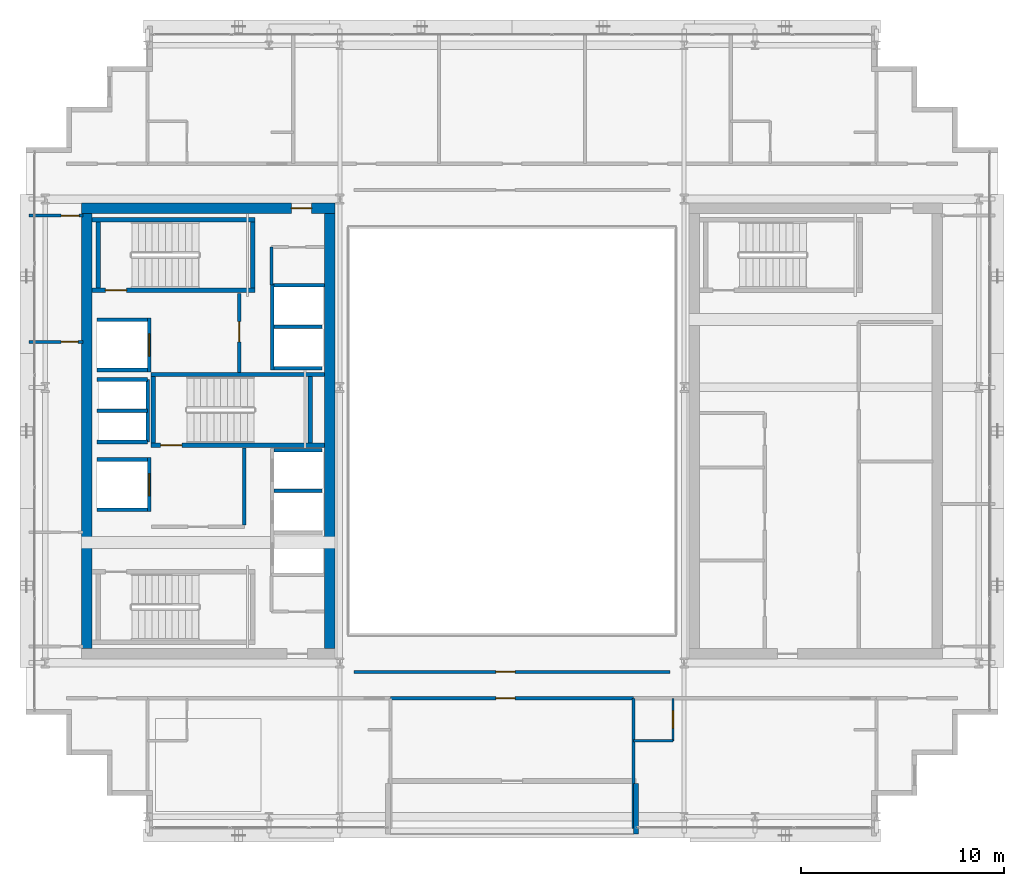
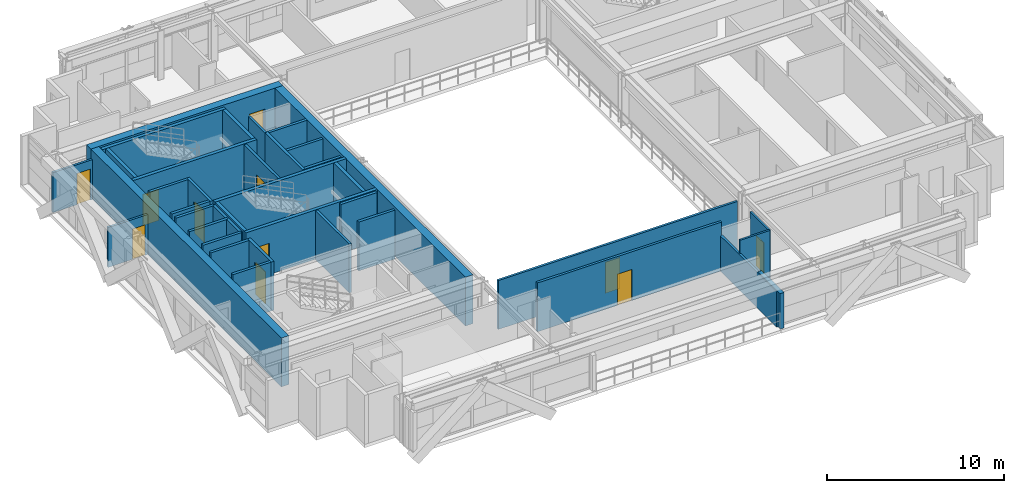
# One storey, part 24 of 30: 38 walls, 11 doors, 11 openings.
"""IFC4 building model written with IfcOpenShell, lengths in metres."""

from ifc_helpers import new_model, si_unit, direction, frame, frame_2d, origin, place, context, subcontext, project, spatial, rectangle, extrude, source, transform, mapped, material, layer, layer_set, type_object, element, fill, save


model = new_model("IFC4")

# Units and contexts
model_context = context("Model", 3, precision=1e-05, world=origin(), true_north=direction((0.0, 1.0)))
body_context = subcontext(model_context, "Body", "Model", "MODEL_VIEW")
ifc_project = project(units=[si_unit("LENGTHUNIT", "METRE"), si_unit("AREAUNIT", "SQUARE_METRE"), si_unit("VOLUMEUNIT", "CUBIC_METRE"), si_unit("PLANEANGLEUNIT", "RADIAN"), si_unit("MASSUNIT", "GRAM", prefix="KILO")], contexts=[model_context])

# Site, building, storey
site_placement = place(None, origin())
site = spatial("IfcSite", under=ifc_project, at=site_placement, CompositionType="ELEMENT")
building_placement = place(site_placement, origin())
building = spatial("IfcBuilding", under=site, at=building_placement, Name="Ocotamira Hotel", CompositionType="ELEMENT")
storey_placement = place(building_placement, frame((0.0, 0.0, 195.60009765625)))
storey = spatial("IfcBuildingStorey", under=building, at=storey_placement, Name="L49", CompositionType="ELEMENT", Elevation=195.60009765625)

# Wall, opening, door
ifc_material_1 = material(Name="Concrete C50/60", Category="concrete")
ifc_layer_1 = layer(ifc_material_1, 0.5)
ifc_layer_set_1 = layer_set([ifc_layer_1], Name="Concrete C50/60")
wall_type_1 = type_object("IfcWallType", Name="WL-CORE-500", PredefinedType="SHEAR", material=ifc_layer_set_1)
wall_1_placement = place(storey_placement, frame((10.75, 37.0, 0.0), z_axis=(0.0, 0.0, 1.0), x_axis=(1.0, 0.0, 0.0)))
wall_1 = element("IfcWall", 1, at=wall_1_placement, inside=storey, type_object=wall_type_1, Name="L49 Shear Core Wall WCORE-N", PredefinedType="SHEAR", context=body_context, shape_type="SweptSolid", body=[
    extrude(rectangle(XDim=12.5, YDim=0.5, at=frame_2d((6.25, 0.0))), origin(), (0.0, 0.0, 1.0), 3.369873046875),
])
opening_1_placement = place(wall_1_placement, frame((10.35009765625, 0.0, 0.0)))
opening_1 = element("IfcOpeningElement", 2, at=opening_1_placement, cuts=wall_1, Name="Opening D-FR2", PredefinedType="OPENING", context=body_context, shape_type="SweptSolid", body=[
    extrude(rectangle(XDim=1.0, YDim=2.14990234375, at=frame_2d((0.5, 1.074951171875))), frame((0.0, 0.260009765625, 0.0), z_axis=(0.0, -1.0, 0.0), x_axis=(1.0, 0.0, 0.0)), (0.0, 0.0, 1.0), 0.52001953125),
])
ifc_material_2 = material(Name="Fire-rated acoustic timber-veneer door", Category="wood")
door_type_1 = type_object("IfcDoorType", Name="DR-FIRE-1000", OperationType="NOTDEFINED", PredefinedType="DOOR", material=ifc_material_2)
shared_shape_1 = source(origin(), body_context, "Body", "SweptSolid", [
    extrude(rectangle(XDim=1.0, YDim=2.14990234375, at=frame_2d((0.5, 1.074951171875))), frame((0.0, 0.02490234375, 0.0), z_axis=(0.0, -1.0, 0.0), x_axis=(1.0, 0.0, 0.0)), (0.0, 0.0, 1.0), 0.050048828125),
])
door_1_placement = place(opening_1_placement, origin())
door_1 = element("IfcDoor", 3, at=door_1_placement, inside=storey, type_object=door_type_1, Name="L49 Door ID-L49-WLOB-N-D [ID-L49-WLOB-N-D]", OperationType="SINGLE_SWING_RIGHT", OverallHeight=2.14990234375, OverallWidth=1.0, PredefinedType="DOOR", context=body_context, shape_type="MappedRepresentation", body=[
    mapped(shared_shape_1, transform((0.0, 0.0, 0.0), scale=1.0)),
])
fill(opening_1, door_1)

# Walls
for number, where, z_axis, x_axis, name in (
    (4, (11.0, 15.25, 0.0), (0.0, 0.0, 1.0), (0.0, 1.0, 0.0), "L49 Shear Core Wall WCORE-W"),
    (5, (23.0, 15.25, 0.0), (0.0, 0.0, 1.0), (0.0, 1.0, 0.0), "L49 Shear Core Wall WCORE-E"),
):
    element("IfcWall", number, at=place(storey_placement, frame(where, z_axis=z_axis, x_axis=x_axis)), inside=storey, type_object=wall_type_1, Name=name, PredefinedType="SHEAR", context=body_context, shape_type="SweptSolid", body=[
        extrude(rectangle(XDim=21.5, YDim=0.5, at=frame_2d((10.75, 0.0))), origin(), (0.0, 0.0, 1.0), 3.369873046875),
    ])
ifc_material_3 = material(Name="Precast concrete C45/55", Category="concrete")
ifc_layer_2 = layer(ifc_material_3, 0.25)
ifc_layer_set_2 = layer_set([ifc_layer_2], Name="Precast concrete C45/55")
wall_type_2 = type_object("IfcWallType", Name="WL-EXT-SER-250", PredefinedType="SOLIDWALL", material=ifc_layer_set_2)
wall_2_placement = place(storey_placement, frame((38.125, 6.10009765625, 0.0), z_axis=(0.0, 0.0, 1.0), x_axis=(0.0, 1.0, 0.0)))
element("IfcWall", 6, at=wall_2_placement, inside=storey, type_object=wall_type_2, Name="L49 Sky Terrace Return Wall 1R", PredefinedType="SOLIDWALL", context=body_context, shape_type="SweptSolid", body=[
    extrude(rectangle(XDim=2.5, YDim=0.25, at=frame_2d((1.25, 0.0))), origin(), (0.0, 0.0, 1.0), 2.44287109375),
])
ifc_material_4 = material(Name="Acoustic double-layer fire gypsum board partition", Category="gypsum")
ifc_layer_3 = layer(ifc_material_4, 0.159912109375)
ifc_layer_set_3 = layer_set([ifc_layer_3], Name="Acoustic double-layer fire gypsum board partition")
wall_type_3 = type_object("IfcWallType", Name="WL-FIRE-160", PredefinedType="PARTITIONING", material=ifc_layer_set_3)
wall_3_placement = place(storey_placement, frame((18.780029296875, 21.35009765625, 0.0), z_axis=(0.0, 0.0, 1.0), x_axis=(0.0, 1.0, 0.0)))
element("IfcWall", 7, at=wall_3_placement, inside=storey, type_object=wall_type_3, Name="L49 Interior Wall PW-L49-FSAE1-E", PredefinedType="PARTITIONING", context=body_context, shape_type="SweptSolid", body=[
    extrude(rectangle(XDim=3.809814453125, YDim=0.159912109375, at=frame_2d((1.90478515625, 0.0))), origin(), (0.0, 0.0, 1.0), 3.369873046875),
])

# Wall, opening, door
wall_4_placement = place(storey_placement, frame((18.530029296875, 28.89990234375, 0.0), z_axis=(0.0, 0.0, 1.0), x_axis=(0.0, 1.0, 0.0)))
wall_4 = element("IfcWall", 8, at=wall_4_placement, inside=storey, type_object=wall_type_3, Name="L49 Interior Wall PW-L49-FSAE2-E", PredefinedType="PARTITIONING", context=body_context, shape_type="SweptSolid", body=[
    extrude(rectangle(XDim=3.900146484375, YDim=0.159912109375, at=frame_2d((1.9501953125, 0.0))), origin(), (0.0, 0.0, 1.0), 3.369873046875),
])
opening_2_placement = place(wall_4_placement, frame((1.5, 0.0, 0.0)))
opening_2 = element("IfcOpeningElement", 9, at=opening_2_placement, cuts=wall_4, Name="Opening D-FR2", PredefinedType="OPENING", context=body_context, shape_type="SweptSolid", body=[
    extrude(rectangle(XDim=1.0, YDim=2.14990234375, at=frame_2d((0.5, 1.074951171875))), frame((0.0, 0.08984375, 0.0), z_axis=(0.0, -1.0, 0.0), x_axis=(1.0, 0.0, 0.0)), (0.0, 0.0, 1.0), 0.179931640625),
])
door_2_placement = place(opening_2_placement, origin())
door_2 = element("IfcDoor", 10, at=door_2_placement, inside=storey, type_object=door_type_1, Name="L49 Door ID-L49-FSAE2-D [ID-L49-FSAE2-D]", OperationType="SINGLE_SWING_RIGHT", OverallHeight=2.14990234375, OverallWidth=1.0, PredefinedType="DOOR", context=body_context, shape_type="MappedRepresentation", body=[
    mapped(shared_shape_1, transform((0.0, 0.0, 0.0), scale=1.0)),
])
fill(opening_2, door_2)

wall_5_placement = place(storey_placement, frame((26.0, 12.800048828125, 0.0), z_axis=(0.0, 0.0, 1.0), x_axis=(1.0, 0.0, 0.0)))
wall_5 = element("IfcWall", 11, at=wall_5_placement, inside=storey, type_object=wall_type_3, Name="L49 Interior Wall PW-L49-Z3D-TSALN", PredefinedType="PARTITIONING", context=body_context, shape_type="SweptSolid", body=[
    extrude(rectangle(XDim=12.0, YDim=0.159912109375, at=frame_2d((6.0, 0.0))), origin(), (0.0, 0.0, 1.0), 3.369873046875),
])
opening_3_placement = place(wall_5_placement, frame((5.199951171875, 0.0, 0.0)))
opening_3 = element("IfcOpeningElement", 12, at=opening_3_placement, cuts=wall_5, Name="Opening D-SV4", PredefinedType="OPENING", context=body_context, shape_type="SweptSolid", body=[
    extrude(rectangle(XDim=0.9599609375, YDim=2.14990234375, at=frame_2d((0.47998046875, 1.074951171875))), frame((0.0, 0.08984375, 0.0), z_axis=(0.0, -1.0, 0.0), x_axis=(1.0, 0.0, 0.0)), (0.0, 0.0, 1.0), 0.179931640625),
])
ifc_material_5 = material(Name="Fire-rated accessible walnut salon door", Category="wood")
door_type_2 = type_object("IfcDoorType", Name="DR-SERV-960", OperationType="NOTDEFINED", PredefinedType="DOOR", material=ifc_material_5)
shared_shape_2 = source(origin(), body_context, "Body", "SweptSolid", [
    extrude(rectangle(XDim=0.9599609375, YDim=2.14990234375, at=frame_2d((0.47998046875, 1.074951171875))), frame((0.0, 0.02490234375, 0.0), z_axis=(0.0, -1.0, 0.0), x_axis=(1.0, 0.0, 0.0)), (0.0, 0.0, 1.0), 0.050048828125),
])
door_3_placement = place(opening_3_placement, origin())
door_3 = element("IfcDoor", 13, at=door_3_placement, inside=storey, type_object=door_type_2, Name="L49 Door ID-L49-Z3D-TSALD [ID-L49-Z3D-TSALD]", OperationType="SINGLE_SWING_LEFT", OverallHeight=2.14990234375, OverallWidth=0.9599609375, PredefinedType="DOOR", context=body_context, shape_type="MappedRepresentation", body=[
    mapped(shared_shape_2, transform((0.0, 0.0, 0.0), scale=1.0)),
])
fill(opening_3, door_3)

ifc_material_6 = material(Name="Moisture-resistant en-suite tile and gypsum partition", Category="gypsum")
ifc_layer_4 = layer(ifc_material_6, 0.1201171875)
ifc_layer_set_4 = layer_set([ifc_layer_4], Name="Moisture-resistant en-suite tile and gypsum partition")
wall_type_4 = type_object("IfcWallType", Name="WL-PART-120", PredefinedType="PARTITIONING", material=ifc_layer_set_4)
wall_6_placement = place(storey_placement, frame((39.949951171875, 10.699951171875, 0.0), z_axis=(0.0, 0.0, 1.0), x_axis=(0.0, 1.0, 0.0)))
wall_6 = element("IfcWall", 14, at=wall_6_placement, inside=storey, type_object=wall_type_4, Name="L49 Interior Wall PW-L49-Z3DSE-BAE1", PredefinedType="PARTITIONING", context=body_context, shape_type="SweptSolid", body=[
    extrude(rectangle(XDim=2.10009765625, YDim=0.1201171875, at=frame_2d((1.050048828125, 0.0))), origin(), (0.0, 0.0, 1.0), 3.369873046875),
])
opening_4_placement = place(wall_6_placement, frame((0.6201171875, 0.0, 0.0)))
opening_4 = element("IfcOpeningElement", 15, at=opening_4_placement, cuts=wall_6, Name="Opening D-BA1", PredefinedType="OPENING", context=body_context, shape_type="SweptSolid", body=[
    extrude(rectangle(XDim=0.860107421875, YDim=2.10009765625, at=frame_2d((0.43017578125, 1.050048828125))), frame((0.0, 0.070068359375, 0.0), z_axis=(0.0, -1.0, 0.0), x_axis=(1.0, 0.0, 0.0)), (0.0, 0.0, 1.0), 0.14013671875),
])
ifc_material_7 = material(Name="Moisture-sealed en-suite timber door", Category="wood")
door_type_3 = type_object("IfcDoorType", Name="DR-BATH-860", OperationType="NOTDEFINED", PredefinedType="DOOR", material=ifc_material_7)
shared_shape_3 = source(origin(), body_context, "Body", "SweptSolid", [
    extrude(rectangle(XDim=0.860107421875, YDim=2.10009765625, at=frame_2d((0.43017578125, 1.050048828125))), frame((0.0, 0.02490234375, 0.0), z_axis=(0.0, -1.0, 0.0), x_axis=(1.0, 0.0, 0.0)), (0.0, 0.0, 1.0), 0.050048828125),
])
door_4_placement = place(opening_4_placement, origin())
door_4 = element("IfcDoor", 16, at=door_4_placement, inside=storey, type_object=door_type_3, Name="L49 Door ID-L49-Z3DSE-BAD1 [ID-L49-Z3DSE-BAD1]", OperationType="SINGLE_SWING_RIGHT", OverallHeight=2.10009765625, OverallWidth=0.860107421875, PredefinedType="DOOR", context=body_context, shape_type="MappedRepresentation", body=[
    mapped(shared_shape_3, transform((0.0, 0.0, 0.0), scale=1.0)),
])
fill(opening_4, door_4)

# Walls
wall_7_placement = place(storey_placement, frame((38.0, 10.699951171875, 0.0), z_axis=(0.0, 0.0, 1.0), x_axis=(1.0, 0.0, 0.0)))
element("IfcWall", 17, at=wall_7_placement, inside=storey, type_object=wall_type_4, Name="L49 Interior Wall PW-L49-Z3DSE-BAS1", PredefinedType="PARTITIONING", context=body_context, shape_type="SweptSolid", body=[
    extrude(rectangle(XDim=1.949951171875, YDim=0.1201171875, at=frame_2d((0.97509765625, 0.0))), origin(), (0.0, 0.0, 1.0), 3.369873046875),
])
ifc_material_8 = material(Name="Acoustic hospitality gypsum board partition", Category="gypsum")
ifc_layer_5 = layer(ifc_material_8, 0.14208984375)
ifc_layer_set_5 = layer_set([ifc_layer_5], Name="Acoustic hospitality gypsum board partition")
wall_type_5 = type_object("IfcWallType", Name="WL-PART-142", PredefinedType="PARTITIONING", material=ifc_layer_set_5)
wall_8_placement = place(storey_placement, frame((20.1201171875, 33.219970703125, 0.0), z_axis=(0.0, 0.0, 1.0), x_axis=(0.0, 1.0, 0.0)))
element("IfcWall", 18, at=wall_8_placement, inside=storey, type_object=wall_type_5, Name="L49 Interior Wall PW-L49-WC-NE-W2", PredefinedType="PARTITIONING", context=body_context, shape_type="SweptSolid", body=[
    extrude(rectangle(XDim=1.860107421875, YDim=0.14208984375, at=frame_2d((0.93017578125, 0.0))), origin(), (0.0, 0.0, 1.0), 3.369873046875),
])

# Wall, opening, door
wall_9_placement = place(storey_placement, frame((8.159912109375, 30.39990234375, 0.0), z_axis=(0.0, 0.0, 1.0), x_axis=(1.0, 0.0, 0.0)))
wall_9 = element("IfcWall", 19, at=wall_9_placement, inside=storey, type_object=wall_type_5, Name="L49 Interior Wall PW-L49-Z3D-WF-DV2", PredefinedType="PARTITIONING", context=body_context, shape_type="SweptSolid", body=[
    extrude(rectangle(XDim=2.66015625, YDim=0.14208984375, at=frame_2d((1.330078125, 0.0))), origin(), (0.0, 0.0, 1.0), 2.7529296875),
])
opening_5_placement = place(wall_9_placement, frame((1.580078125, 0.0, 0.0)))
opening_5 = element("IfcOpeningElement", 20, at=opening_5_placement, cuts=wall_9, Name="Opening D-SV1", PredefinedType="OPENING", context=body_context, shape_type="SweptSolid", body=[
    extrude(rectangle(XDim=0.840087890625, YDim=2.10009765625, at=frame_2d((0.419921875, 1.050048828125))), frame((0.0, 0.0810546875, 0.0), z_axis=(0.0, -1.0, 0.0), x_axis=(1.0, 0.0, 0.0)), (0.0, 0.0, 1.0), 0.162109375),
])
ifc_material_9 = material(Name="Fire-rated painted steel service door", Category="steel")
door_type_4 = type_object("IfcDoorType", Name="DR-SERV-840", OperationType="NOTDEFINED", PredefinedType="DOOR", material=ifc_material_9)
shared_shape_4 = source(origin(), body_context, "Body", "SweptSolid", [
    extrude(rectangle(XDim=0.840087890625, YDim=2.10009765625, at=frame_2d((0.419921875, 1.050048828125))), frame((0.0, 0.02490234375, 0.0), z_axis=(0.0, -1.0, 0.0), x_axis=(1.0, 0.0, 0.0)), (0.0, 0.0, 1.0), 0.050048828125),
])
door_5_placement = place(opening_5_placement, origin())
door_5 = element("IfcDoor", 21, at=door_5_placement, inside=storey, type_object=door_type_4, Name="L49 Door ID-L49-Z3D-WF-DV2D [ID-L49-Z3D-WF-DV2D]", OperationType="SINGLE_SWING_RIGHT", OverallHeight=2.10009765625, OverallWidth=0.840087890625, PredefinedType="DOOR", context=body_context, shape_type="MappedRepresentation", body=[
    mapped(shared_shape_4, transform((0.0, 0.0, 0.0), scale=1.0)),
])
fill(opening_5, door_5)

ifc_layer_6 = layer(ifc_material_8, 0.14990234375)
ifc_layer_set_6 = layer_set([ifc_layer_6], Name="Acoustic hospitality gypsum board partition")
wall_type_6 = type_object("IfcWallType", Name="WL-PART-150", PredefinedType="PARTITIONING", material=ifc_layer_set_6)
wall_10_placement = place(storey_placement, frame((24.199951171875, 14.10009765625, 0.0), z_axis=(0.0, 0.0, 1.0), x_axis=(1.0, 0.0, 0.0)))
wall_10 = element("IfcWall", 22, at=wall_10_placement, inside=storey, type_object=wall_type_6, Name="L49 Interior Wall PW-L49-Z3D-ATRSW", PredefinedType="PARTITIONING", context=body_context, shape_type="SweptSolid", body=[
    extrude(rectangle(XDim=15.60009765625, YDim=0.14990234375, at=frame_2d((7.800048828125, 0.0))), origin(), (0.0, 0.0, 1.0), 3.369873046875),
])
opening_6_placement = place(wall_10_placement, frame((7.0, 0.0, 0.0)))
opening_6 = element("IfcOpeningElement", 23, at=opening_6_placement, cuts=wall_10, Name="Opening D-SV4", PredefinedType="OPENING", context=body_context, shape_type="SweptSolid", body=[
    extrude(rectangle(XDim=0.9599609375, YDim=2.14990234375, at=frame_2d((0.47998046875, 1.074951171875))), frame((0.0, 0.0849609375, 0.0), z_axis=(0.0, -1.0, 0.0), x_axis=(1.0, 0.0, 0.0)), (0.0, 0.0, 1.0), 0.169921875),
])
door_6_placement = place(opening_6_placement, origin())
door_6 = element("IfcDoor", 24, at=door_6_placement, inside=storey, type_object=door_type_2, Name="L49 Door ID-L49-Z3D-ASD [ID-L49-Z3D-ASD]", OperationType="SINGLE_SWING_LEFT", OverallHeight=2.14990234375, OverallWidth=0.9599609375, PredefinedType="DOOR", context=body_context, shape_type="MappedRepresentation", body=[
    mapped(shared_shape_2, transform((0.0, 0.0, 0.0), scale=1.0)),
])
fill(opening_6, door_6)

wall_11_placement = place(storey_placement, frame((8.159912109375, 36.639892578125, 0.0), z_axis=(0.0, 0.0, 1.0), x_axis=(1.0, 0.0, 0.0)))
wall_11 = element("IfcWall", 25, at=wall_11_placement, inside=storey, type_object=wall_type_6, Name="L49 Interior Wall PW-L49-Z3D-WF-WN", PredefinedType="PARTITIONING", context=body_context, shape_type="SweptSolid", body=[
    extrude(rectangle(XDim=2.66015625, YDim=0.14990234375, at=frame_2d((1.330078125, 0.0))), origin(), (0.0, 0.0, 1.0), 2.7529296875),
])
opening_7_placement = place(wall_11_placement, frame((1.580078125, 0.0, 0.0)))
opening_7 = element("IfcOpeningElement", 26, at=opening_7_placement, cuts=wall_11, Name="Opening D-SV2", PredefinedType="OPENING", context=body_context, shape_type="SweptSolid", body=[
    extrude(rectangle(XDim=0.8798828125, YDim=2.14990234375, at=frame_2d((0.43994140625, 1.074951171875))), frame((0.0, 0.0849609375, 0.0), z_axis=(0.0, -1.0, 0.0), x_axis=(1.0, 0.0, 0.0)), (0.0, 0.0, 1.0), 0.169921875),
])
door_type_5 = type_object("IfcDoorType", Name="DR-SERV-880", OperationType="NOTDEFINED", PredefinedType="DOOR", material=ifc_material_9)
shared_shape_5 = source(origin(), body_context, "Body", "SweptSolid", [
    extrude(rectangle(XDim=0.8798828125, YDim=2.14990234375, at=frame_2d((0.43994140625, 1.074951171875))), frame((0.0, 0.02490234375, 0.0), z_axis=(0.0, -1.0, 0.0), x_axis=(1.0, 0.0, 0.0)), (0.0, 0.0, 1.0), 0.050048828125),
])
door_7_placement = place(opening_7_placement, origin())
door_7 = element("IfcDoor", 27, at=door_7_placement, inside=storey, type_object=door_type_5, Name="L49 Door ID-L49-Z3D-WF-DN [ID-L49-Z3D-WF-DN]", OperationType="SINGLE_SWING_RIGHT", OverallHeight=2.14990234375, OverallWidth=0.8798828125, PredefinedType="DOOR", context=body_context, shape_type="MappedRepresentation", body=[
    mapped(shared_shape_5, transform((0.0, 0.0, 0.0), scale=1.0)),
])
fill(opening_7, door_7)

# Walls
ifc_material_10 = material(Name="Acoustic double-stud hospitality gypsum partition", Category="gypsum")
ifc_layer_7 = layer(ifc_material_10, 0.159912109375)
ifc_layer_set_7 = layer_set([ifc_layer_7], Name="Acoustic double-stud hospitality gypsum partition")
wall_type_7 = type_object("IfcWallType", Name="WL-PART-160", PredefinedType="PARTITIONING", material=ifc_layer_set_7)
wall_12_placement = place(storey_placement, frame((38.0, 6.360107421875, 0.0), z_axis=(0.0, 0.0, 1.0), x_axis=(0.0, 1.0, 0.0)))
element("IfcWall", 28, at=wall_12_placement, inside=storey, type_object=wall_type_7, Name="L49 Interior Wall PW-L49-Z3DSE-PW0", PredefinedType="PARTITIONING", context=body_context, shape_type="SweptSolid", body=[
    extrude(rectangle(XDim=6.43994140625, YDim=0.159912109375, at=frame_2d((3.219970703125, 0.0))), origin(), (0.0, 0.0, 1.0), 2.44287109375),
])
ifc_material_11 = material(Name="Fire-rated gypsum shaftliner board assembly", Category="gypsum")
ifc_layer_8 = layer(ifc_material_11, 0.179931640625)
ifc_layer_set_8 = layer_set([ifc_layer_8], Name="Fire-rated gypsum shaftliner board assembly")
wall_type_8 = type_object("IfcWallType", Name="WL-SHAFT-180", PredefinedType="SOLIDWALL", material=ifc_layer_set_8)
for number, where, z_axis, x_axis, name in (
    (29, (20.25, 25.050048828125, 0.0), (0.0, 0.0, 1.0), (1.0, 0.0, 0.0), "L49 Interior Wall PW-L49-LFW-BANK-high-N"),
    (30, (20.25, 23.044921875, 0.0), (0.0, 0.0, 1.0), (1.0, 0.0, 0.0), "L49 Interior Wall PW-L49-LFW-DIV-LF-P8"),
):
    element("IfcWall", number, at=place(storey_placement, frame(where, z_axis=z_axis, x_axis=x_axis)), inside=storey, type_object=wall_type_8, Name=name, PredefinedType="SOLIDWALL", context=body_context, shape_type="SweptSolid", body=[
        extrude(rectangle(XDim=2.360107421875, YDim=0.179931640625, at=frame_2d((1.18017578125, 0.0))), origin(), (0.0, 0.0, 1.0), 3.369873046875),
    ])
wall_13_placement = place(storey_placement, frame((20.159912109375, 29.0, 0.0), z_axis=(0.0, 0.0, 1.0), x_axis=(0.0, 1.0, 0.0)))
element("IfcWall", 31, at=wall_13_placement, inside=storey, type_object=wall_type_8, Name="L49 Interior Wall PW-L49-LFW-BANK-obs-F", PredefinedType="SOLIDWALL", context=body_context, shape_type="SweptSolid", body=[
    extrude(rectangle(XDim=4.2900390625, YDim=0.179931640625, at=frame_2d((2.14501953125, 0.0))), origin(), (0.0, 0.0, 1.0), 3.369873046875),
])
wall_14_placement = place(storey_placement, frame((20.25, 29.090087890625, 0.0), z_axis=(0.0, 0.0, 1.0), x_axis=(1.0, 0.0, 0.0)))
element("IfcWall", 32, at=wall_14_placement, inside=storey, type_object=wall_type_8, Name="L49 Interior Wall PW-L49-LFW-BANK-obs-S", PredefinedType="SOLIDWALL", context=body_context, shape_type="SweptSolid", body=[
    extrude(rectangle(XDim=2.360107421875, YDim=0.179931640625, at=frame_2d((1.18017578125, 0.0))), origin(), (0.0, 0.0, 1.0), 3.369873046875),
])
wall_15_placement = place(storey_placement, frame((20.25, 33.199951171875, 0.0), z_axis=(0.0, 0.0, 1.0), x_axis=(1.0, 0.0, 0.0)))
element("IfcWall", 33, at=wall_15_placement, inside=storey, type_object=wall_type_8, Name="L49 Interior Wall PW-L49-LFW-BANK-obs-N", PredefinedType="SOLIDWALL", context=body_context, shape_type="SweptSolid", body=[
    extrude(rectangle(XDim=2.5, YDim=0.179931640625, at=frame_2d((1.25, 0.0))), origin(), (0.0, 0.0, 1.0), 3.369873046875),
])
wall_16_placement = place(storey_placement, frame((20.25, 31.14501953125, 0.0), z_axis=(0.0, 0.0, 1.0), x_axis=(1.0, 0.0, 0.0)))
element("IfcWall", 34, at=wall_16_placement, inside=storey, type_object=wall_type_8, Name="L49 Interior Wall PW-L49-LFW-DIV-LF-OBS1", PredefinedType="SOLIDWALL", context=body_context, shape_type="SweptSolid", body=[
    extrude(rectangle(XDim=2.360107421875, YDim=0.179931640625, at=frame_2d((1.18017578125, 0.0))), origin(), (0.0, 0.0, 1.0), 3.369873046875),
])
for number, where, z_axis, x_axis, name in (
    (35, (11.5, 22.110107421875, 0.0), (0.0, 0.0, 1.0), (1.0, 0.0, 0.0), "L49 Interior Wall PW-L49-LFW-LF-FSAE1-S"),
    (36, (11.5, 24.590087890625, 0.0), (0.0, 0.0, 1.0), (1.0, 0.0, 0.0), "L49 Interior Wall PW-L49-LFW-LF-FSAE1-N"),
):
    element("IfcWall", number, at=place(storey_placement, frame(where, z_axis=z_axis, x_axis=x_axis)), inside=storey, type_object=wall_type_8, Name=name, PredefinedType="SOLIDWALL", context=body_context, shape_type="SweptSolid", body=[
        extrude(rectangle(XDim=2.5, YDim=0.179931640625, at=frame_2d((1.25, 0.0))), origin(), (0.0, 0.0, 1.0), 3.369873046875),
    ])

# Wall, opening, door
wall_17_placement = place(storey_placement, frame((14.090087890625, 22.02001953125, 0.0), z_axis=(0.0, 0.0, 1.0), x_axis=(0.0, 1.0, 0.0)))
wall_17 = element("IfcWall", 37, at=wall_17_placement, inside=storey, type_object=wall_type_8, Name="L49 Interior Wall PW-L49-LFW-LF-FSAE1-E", PredefinedType="SOLIDWALL", context=body_context, shape_type="SweptSolid", body=[
    extrude(rectangle(XDim=2.659912109375, YDim=0.179931640625, at=frame_2d((1.330078125, 0.0))), origin(), (0.0, 0.0, 1.0), 3.369873046875),
])
opening_8_placement = place(wall_17_placement, frame((0.780029296875, 0.0, 0.0)))
opening_8 = element("IfcOpeningElement", 38, at=opening_8_placement, cuts=wall_17, Name="Opening LD-LF-FSAE1", PredefinedType="OPENING", context=body_context, shape_type="SweptSolid", body=[
    extrude(rectangle(XDim=1.10009765625, YDim=2.199951171875, at=frame_2d((0.550048828125, 1.10009765625))), frame((0.0, 0.10009765625, 0.0), z_axis=(0.0, -1.0, 0.0), x_axis=(1.0, 0.0, 0.0)), (0.0, 0.0, 1.0), 0.199951171875),
])
ifc_material_12 = material(Name="Brushed pale-metal stainless elevator landing door", Category="steel")
door_type_6 = type_object("IfcDoorType", Name="DR-LIFT-1100", OperationType="NOTDEFINED", PredefinedType="DOOR", material=ifc_material_12)
shared_shape_6 = source(origin(), body_context, "Body", "SweptSolid", [
    extrude(rectangle(XDim=1.10009765625, YDim=2.199951171875, at=frame_2d((0.550048828125, 1.10009765625))), frame((0.0, 0.02490234375, 0.0), z_axis=(0.0, -1.0, 0.0), x_axis=(1.0, 0.0, 0.0)), (0.0, 0.0, 1.0), 0.050048828125),
])
door_8_placement = place(opening_8_placement, origin())
door_8 = element("IfcDoor", 39, at=door_8_placement, inside=storey, type_object=door_type_6, Name="L49 Landing Door LD-LF-FSAE1 [ID-L49-LD-LF-FSAE1]", OperationType="DOUBLE_DOOR_SLIDING", OverallHeight=2.199951171875, OverallWidth=1.10009765625, PredefinedType="DOOR", context=body_context, shape_type="MappedRepresentation", body=[
    mapped(shared_shape_6, transform((0.0, 0.0, 0.0), scale=1.0)),
])
fill(opening_8, door_8)

# Walls
for number, where, z_axis, x_axis, name in (
    (40, (11.5, 29.010009765625, 0.0), (0.0, 0.0, 1.0), (1.0, 0.0, 0.0), "L49 Interior Wall PW-L49-LFW-LF-FSAE2-S"),
    (41, (11.5, 31.489990234375, 0.0), (0.0, 0.0, 1.0), (1.0, 0.0, 0.0), "L49 Interior Wall PW-L49-LFW-LF-FSAE2-N"),
):
    element("IfcWall", number, at=place(storey_placement, frame(where, z_axis=z_axis, x_axis=x_axis)), inside=storey, type_object=wall_type_8, Name=name, PredefinedType="SOLIDWALL", context=body_context, shape_type="SweptSolid", body=[
        extrude(rectangle(XDim=2.5, YDim=0.179931640625, at=frame_2d((1.25, 0.0))), origin(), (0.0, 0.0, 1.0), 3.369873046875),
    ])

# Wall, opening, door
wall_18_placement = place(storey_placement, frame((14.090087890625, 28.919921875, 0.0), z_axis=(0.0, 0.0, 1.0), x_axis=(0.0, 1.0, 0.0)))
wall_18 = element("IfcWall", 42, at=wall_18_placement, inside=storey, type_object=wall_type_8, Name="L49 Interior Wall PW-L49-LFW-LF-FSAE2-E", PredefinedType="SOLIDWALL", context=body_context, shape_type="SweptSolid", body=[
    extrude(rectangle(XDim=2.66015625, YDim=0.179931640625, at=frame_2d((1.330078125, 0.0))), origin(), (0.0, 0.0, 1.0), 3.369873046875),
])
opening_9_placement = place(wall_18_placement, frame((0.780029296875, 0.0, 0.0)))
opening_9 = element("IfcOpeningElement", 43, at=opening_9_placement, cuts=wall_18, Name="Opening LD-LF-FSAE2", PredefinedType="OPENING", context=body_context, shape_type="SweptSolid", body=[
    extrude(rectangle(XDim=1.10009765625, YDim=2.199951171875, at=frame_2d((0.550048828125, 1.10009765625))), frame((0.0, 0.10009765625, 0.0), z_axis=(0.0, -1.0, 0.0), x_axis=(1.0, 0.0, 0.0)), (0.0, 0.0, 1.0), 0.199951171875),
])
door_9_placement = place(opening_9_placement, origin())
door_9 = element("IfcDoor", 44, at=door_9_placement, inside=storey, type_object=door_type_6, Name="L49 Landing Door LD-LF-FSAE2 [ID-L49-LD-LF-FSAE2]", OperationType="DOUBLE_DOOR_SLIDING", OverallHeight=2.199951171875, OverallWidth=1.10009765625, PredefinedType="DOOR", context=body_context, shape_type="MappedRepresentation", body=[
    mapped(shared_shape_6, transform((0.0, 0.0, 0.0), scale=1.0)),
])
fill(opening_9, door_9)

# Walls
for number, where, z_axis, x_axis, name in (
    (45, (11.5, 25.4599609375, 0.0), (0.0, 0.0, 1.0), (1.0, 0.0, 0.0), "L49 Interior Wall PW-L49-RSW-S"),
    (46, (11.5, 27.0, 0.0), (0.0, 0.0, 1.0), (1.0, 0.0, 0.0), "L49 Interior Wall PW-L49-RSW-MID"),
    (47, (11.5, 28.5400390625, 0.0), (0.0, 0.0, 1.0), (1.0, 0.0, 0.0), "L49 Interior Wall PW-L49-RSW-N"),
):
    element("IfcWall", number, at=place(storey_placement, frame(where, z_axis=z_axis, x_axis=x_axis)), inside=storey, type_object=wall_type_8, Name=name, PredefinedType="SOLIDWALL", context=body_context, shape_type="SweptSolid", body=[
        extrude(rectangle(XDim=2.510009765625, YDim=0.179931640625, at=frame_2d((1.2548828125, 0.0))), origin(), (0.0, 0.0, 1.0), 3.369873046875),
    ])
wall_19_placement = place(storey_placement, frame((14.010009765625, 25.4599609375, 0.0), z_axis=(0.0, 0.0, 1.0), x_axis=(0.0, 1.0, 0.0)))
element("IfcWall", 48, at=wall_19_placement, inside=storey, type_object=wall_type_8, Name="L49 Interior Wall PW-L49-RSW-E", PredefinedType="SOLIDWALL", context=body_context, shape_type="SweptSolid", body=[
    extrude(rectangle(XDim=3.080078125, YDim=0.179931640625, at=frame_2d((1.5400390625, 0.0))), origin(), (0.0, 0.0, 1.0), 3.369873046875),
])

# Wall, opening, door
ifc_layer_9 = layer(ifc_material_1, 0.219970703125)
ifc_layer_set_9 = layer_set([ifc_layer_9], Name="Concrete C50/60")
wall_type_9 = type_object("IfcWallType", Name="WL-STAIR-220", PredefinedType="SHEAR", material=ifc_layer_set_9)
wall_20_placement = place(storey_placement, frame((11.25, 32.93994140625, 0.0), z_axis=(0.0, 0.0, 1.0), x_axis=(1.0, 0.0, 0.0)))
wall_20 = element("IfcWall", 49, at=wall_20_placement, inside=storey, type_object=wall_type_9, Name="L49 Stair Shaft Structural Wall ST-2-S", PredefinedType="SHEAR", context=body_context, shape_type="SweptSolid", body=[
    extrude(rectangle(XDim=8.06005859375, YDim=0.219970703125, at=frame_2d((4.030029296875, 0.0))), origin(), (0.0, 0.0, 1.0), 3.39990234375),
])
opening_10_placement = place(wall_20_placement, frame((0.669921875, 0.0, 0.0)))
opening_10 = element("IfcOpeningElement", 50, at=opening_10_placement, cuts=wall_20, Name="Opening D-ST2", PredefinedType="OPENING", context=body_context, shape_type="SweptSolid", body=[
    extrude(rectangle(XDim=1.050048828125, YDim=2.14990234375, at=frame_2d((0.52490234375, 1.074951171875))), frame((0.0, 0.1201171875, 0.0), z_axis=(0.0, -1.0, 0.0), x_axis=(1.0, 0.0, 0.0)), (0.0, 0.0, 1.0), 0.239990234375),
])
ifc_material_13 = material(Name="Insulated painted hollow-metal fire exit door", Category="steel")
door_type_7 = type_object("IfcDoorType", Name="DR-STAIR-1050", OperationType="NOTDEFINED", PredefinedType="DOOR", material=ifc_material_13)
shared_shape_7 = source(origin(), body_context, "Body", "SweptSolid", [
    extrude(rectangle(XDim=1.050048828125, YDim=2.14990234375, at=frame_2d((0.52490234375, 1.074951171875))), frame((0.0, 0.02490234375, 0.0), z_axis=(0.0, -1.0, 0.0), x_axis=(1.0, 0.0, 0.0)), (0.0, 0.0, 1.0), 0.050048828125),
])
door_10_placement = place(opening_10_placement, origin())
door_10 = element("IfcDoor", 51, at=door_10_placement, inside=storey, type_object=door_type_7, Name="L49 Door ID-L49-STD-ST-2 [ID-L49-STD-ST-2]", OperationType="SINGLE_SWING_LEFT", OverallHeight=2.14990234375, OverallWidth=1.050048828125, PredefinedType="DOOR", context=body_context, shape_type="MappedRepresentation", body=[
    mapped(shared_shape_7, transform((0.0, 0.0, 0.0), scale=1.0)),
])
fill(opening_10, door_10)

# Walls
wall_21_placement = place(storey_placement, frame((11.25, 36.43994140625, 0.0), z_axis=(0.0, 0.0, 1.0), x_axis=(1.0, 0.0, 0.0)))
element("IfcWall", 52, at=wall_21_placement, inside=storey, type_object=wall_type_9, Name="L49 Stair Shaft Structural Wall ST-2-N", PredefinedType="SHEAR", context=body_context, shape_type="SweptSolid", body=[
    extrude(rectangle(XDim=8.06005859375, YDim=0.219970703125, at=frame_2d((4.030029296875, 0.0))), origin(), (0.0, 0.0, 1.0), 3.39990234375),
])
for number, where, z_axis, x_axis, name in (
    (53, (11.56005859375, 33.050048828125, 0.0), (0.0, 0.0, 1.0), (0.0, 1.0, 0.0), "L49 Stair Shaft Structural Wall ST-2-W"),
    (54, (19.199951171875, 33.050048828125, 0.0), (0.0, 0.0, 1.0), (0.0, 1.0, 0.0), "L49 Stair Shaft Structural Wall ST-2-E"),
):
    element("IfcWall", number, at=place(storey_placement, frame(where, z_axis=z_axis, x_axis=x_axis)), inside=storey, type_object=wall_type_9, Name=name, PredefinedType="SHEAR", context=body_context, shape_type="SweptSolid", body=[
        extrude(rectangle(XDim=3.280029296875, YDim=0.219970703125, at=frame_2d((1.64013671875, 0.0))), origin(), (0.0, 0.0, 1.0), 3.39990234375),
    ])

# Wall, opening, door
wall_22_placement = place(storey_placement, frame((14.179931640625, 25.2900390625, 0.0), z_axis=(0.0, 0.0, 1.0), x_axis=(1.0, 0.0, 0.0)))
wall_22 = element("IfcWall", 55, at=wall_22_placement, inside=storey, type_object=wall_type_9, Name="L49 Stair Shaft Structural Wall ST-3-S", PredefinedType="SHEAR", context=body_context, shape_type="SweptSolid", body=[
    extrude(rectangle(XDim=8.570068359375, YDim=0.219970703125, at=frame_2d((4.28515625, 0.0))), origin(), (0.0, 0.0, 1.0), 3.39990234375),
])
opening_11_placement = place(wall_22_placement, frame((0.469970703125, 0.0, 0.0)))
opening_11 = element("IfcOpeningElement", 56, at=opening_11_placement, cuts=wall_22, Name="Opening D-ST2", PredefinedType="OPENING", context=body_context, shape_type="SweptSolid", body=[
    extrude(rectangle(XDim=1.050048828125, YDim=2.14990234375, at=frame_2d((0.52490234375, 1.074951171875))), frame((0.0, 0.1201171875, 0.0), z_axis=(0.0, -1.0, 0.0), x_axis=(1.0, 0.0, 0.0)), (0.0, 0.0, 1.0), 0.239990234375),
])
door_11_placement = place(opening_11_placement, origin())
door_11 = element("IfcDoor", 57, at=door_11_placement, inside=storey, type_object=door_type_7, Name="L49 Door ID-L49-STD-ST-3 [ID-L49-STD-ST-3]", OperationType="SINGLE_SWING_RIGHT", OverallHeight=2.14990234375, OverallWidth=1.050048828125, PredefinedType="DOOR", context=body_context, shape_type="MappedRepresentation", body=[
    mapped(shared_shape_7, transform((0.0, 0.0, 0.0), scale=1.0)),
])
fill(opening_11, door_11)

# Walls
wall_23_placement = place(storey_placement, frame((14.179931640625, 28.7900390625, 0.0), z_axis=(0.0, 0.0, 1.0), x_axis=(1.0, 0.0, 0.0)))
element("IfcWall", 58, at=wall_23_placement, inside=storey, type_object=wall_type_9, Name="L49 Stair Shaft Structural Wall ST-3-N", PredefinedType="SHEAR", context=body_context, shape_type="SweptSolid", body=[
    extrude(rectangle(XDim=8.570068359375, YDim=0.219970703125, at=frame_2d((4.28515625, 0.0))), origin(), (0.0, 0.0, 1.0), 3.39990234375),
])
for number, where, z_axis, x_axis, name in (
    (59, (14.2900390625, 25.39990234375, 0.0), (0.0, 0.0, 1.0), (0.0, 1.0, 0.0), "L49 Stair Shaft Structural Wall ST-3-W"),
    (60, (22.030029296875, 25.39990234375, 0.0), (0.0, 0.0, 1.0), (0.0, 1.0, 0.0), "L49 Stair Shaft Structural Wall ST-3-E"),
):
    element("IfcWall", number, at=place(storey_placement, frame(where, z_axis=z_axis, x_axis=x_axis)), inside=storey, type_object=wall_type_9, Name=name, PredefinedType="SHEAR", context=body_context, shape_type="SweptSolid", body=[
        extrude(rectangle(XDim=3.280029296875, YDim=0.219970703125, at=frame_2d((1.64013671875, 0.0))), origin(), (0.0, 0.0, 1.0), 3.39990234375),
    ])

save(model, "model.ifc")
